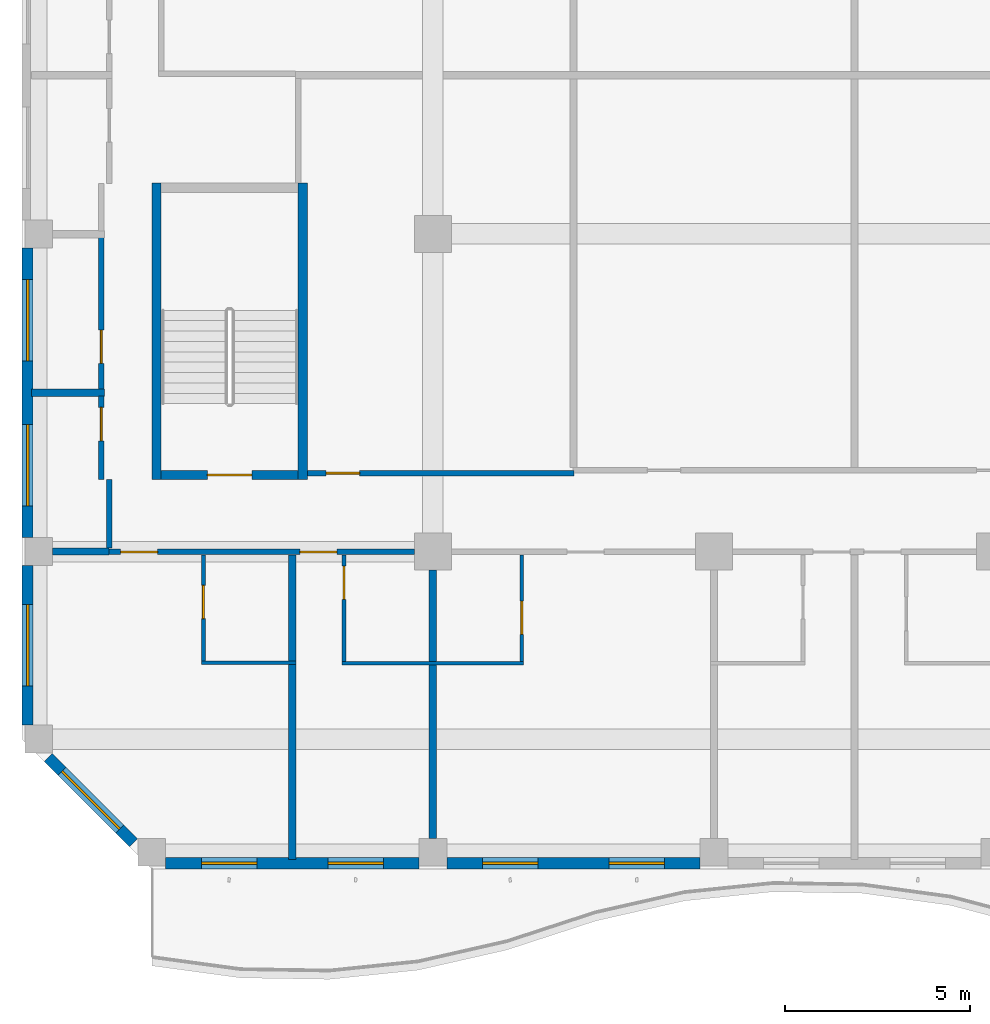
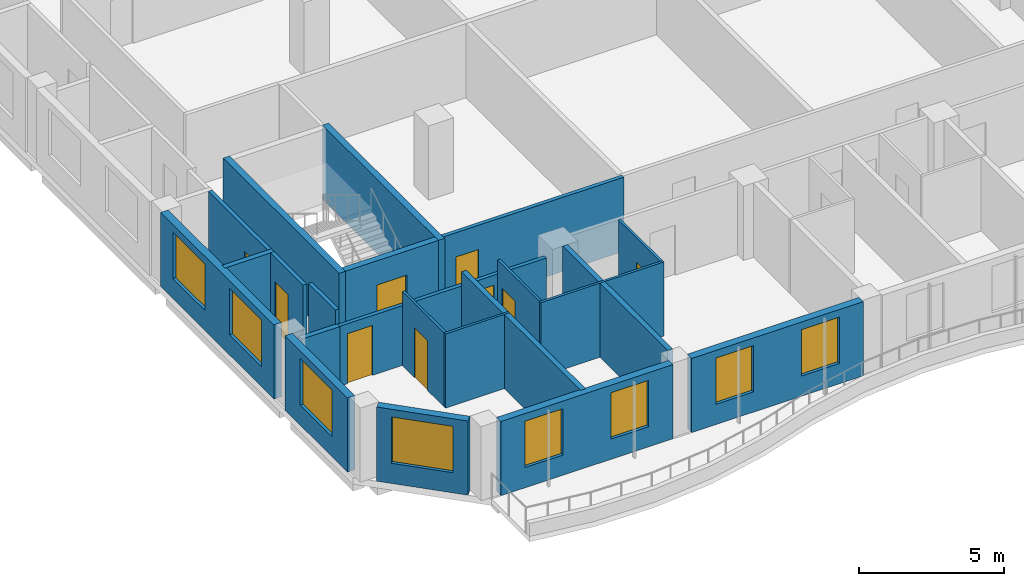
# One storey, part 2 of 21: 24 walls, 9 doors, 8 windows, 17 openings.
"""IFC4 building model written with IfcOpenShell, lengths in metres."""

from ifc_helpers import new_model, si_unit, direction, frame, frame_2d, origin, place, context, subcontext, project, spatial, rectangle, extrude, source, transform, mapped, material, layer, layer_set, type_object, element, fill, save


model = new_model("IFC4")

# Units and contexts
model_context = context("Model", 3, precision=1e-05, world=origin(), true_north=direction((0.0, 1.0)))
body_context = subcontext(model_context, "Body", "Model", "MODEL_VIEW")
ifc_project = project(units=[si_unit("LENGTHUNIT", "METRE"), si_unit("AREAUNIT", "SQUARE_METRE"), si_unit("VOLUMEUNIT", "CUBIC_METRE"), si_unit("PLANEANGLEUNIT", "RADIAN"), si_unit("MASSUNIT", "GRAM", prefix="KILO")], contexts=[model_context])

# Site, building, storey
site_placement = place(None, origin())
site = spatial("IfcSite", under=ifc_project, at=site_placement, CompositionType="ELEMENT")
building_placement = place(site_placement, origin())
building = spatial("IfcBuilding", under=site, at=building_placement, Name="Kilnfold Tower and Market Hall", CompositionType="ELEMENT")
storey_placement = place(building_placement, frame((0.0, 0.0, 216.89990234375)))
storey = spatial("IfcBuildingStorey", under=building, at=storey_placement, Name="L53", CompositionType="ELEMENT", Elevation=216.89990234375)

# Wall, openings, doors
ifc_material_1 = material(Name="Gypsum board on steel studs", Category="steel")
ifc_layer_1 = layer(ifc_material_1, 0.14990234375)
ifc_layer_set_1 = layer_set([ifc_layer_1], Name="Gypsum board on steel studs")
wall_type_1 = type_object("IfcWallType", Name="WALL CORRIDOR 150", PredefinedType="PARTITIONING", material=ifc_layer_set_1)
wall_1_placement = place(storey_placement, frame((-18.89990234375, -17.699951171875, 0.0), z_axis=(0.0, 0.0, 1.0), x_axis=(1.0, 0.0, 0.0)))
wall_1 = element("IfcWall", 1, at=wall_1_placement, inside=storey, type_object=wall_type_1, Name="Partition LY31.1", PredefinedType="PARTITIONING", context=body_context, shape_type="SweptSolid", body=[
    extrude(rectangle(XDim=8.23291015625, YDim=0.14990234375, at=frame_2d((4.116455078125, 0.0))), origin(), (0.0, 0.0, 1.0), 2.52001953125),
])
opening_1_placement = place(wall_1_placement, frame((0.304931640625, 0.0, 0.0)))
opening_1 = element("IfcOpeningElement", 2, at=opening_1_placement, cuts=wall_1, Name="Opening D1", PredefinedType="OPENING", context=body_context, shape_type="SweptSolid", body=[
    extrude(rectangle(XDim=1.0, YDim=2.10009765625, at=frame_2d((0.5, 1.050048828125))), frame((0.0, 0.0849609375, 0.0), z_axis=(0.0, -1.0, 0.0), x_axis=(1.0, 0.0, 0.0)), (0.0, 0.0, 1.0), 0.169921875),
])
opening_2_placement = place(wall_1_placement, frame((5.14306640625, 0.0, 0.0)))
opening_2 = element("IfcOpeningElement", 3, at=opening_2_placement, cuts=wall_1, Name="Opening D1", PredefinedType="OPENING", context=body_context, shape_type="SweptSolid", body=[
    extrude(rectangle(XDim=1.0, YDim=2.10009765625, at=frame_2d((0.5, 1.050048828125))), frame((0.0, 0.0849609375, 0.0), z_axis=(0.0, -1.0, 0.0), x_axis=(1.0, 0.0, 0.0)), (0.0, 0.0, 1.0), 0.169921875),
])
ifc_material_2 = material(Name="Timber veneer door leaf in steel frame", Category="steel")
door_type_1 = type_object("IfcDoorType", Name="DOOR ENTRY 1000 X2100", OperationType="NOTDEFINED", PredefinedType="DOOR", material=ifc_material_2)
door_1_placement = place(opening_1_placement, origin())
door_1 = element("IfcDoor", 4, at=door_1_placement, inside=storey, type_object=door_type_1, Name="Door D1", OperationType="SINGLE_SWING_RIGHT", OverallHeight=2.10009765625, OverallWidth=1.0, PredefinedType="DOOR", context=body_context, shape_type="SweptSolid", body=[
    extrude(rectangle(XDim=1.0, YDim=2.10009765625, at=frame_2d((0.5, 1.050048828125))), frame((0.0, 0.02490234375, 0.0), z_axis=(0.0, -1.0, 0.0), x_axis=(1.0, 0.0, 0.0)), (0.0, 0.0, 1.0), 0.050048828125),
])
fill(opening_1, door_1)
door_2_placement = place(opening_2_placement, origin())
door_2 = element("IfcDoor", 5, at=door_2_placement, inside=storey, type_object=door_type_1, Name="Door D1", OperationType="SINGLE_SWING_RIGHT", OverallHeight=2.10009765625, OverallWidth=1.0, PredefinedType="DOOR", context=body_context, shape_type="SweptSolid", body=[
    extrude(rectangle(XDim=1.0, YDim=2.10009765625, at=frame_2d((0.5, 1.050048828125))), frame((0.0, 0.02490234375, 0.0), z_axis=(0.0, -1.0, 0.0), x_axis=(1.0, 0.0, 0.0)), (0.0, 0.0, 1.0), 0.050048828125),
])
fill(opening_2, door_2)

# Wall
wall_2_placement = place(storey_placement, frame((-18.89990234375, -17.597900390625, 0.0), z_axis=(0.0, 0.0, 1.0), x_axis=(0.0, 1.0, 0.0)))
element("IfcWall", 6, at=wall_2_placement, inside=storey, type_object=wall_type_1, Name="Partition LY31.9", PredefinedType="PARTITIONING", context=body_context, shape_type="SweptSolid", body=[
    extrude(rectangle(XDim=1.85498046875, YDim=0.14990234375, at=frame_2d((0.927490234375, 0.0))), origin(), (0.0, 0.0, 1.0), 3.1201171875),
])

# Wall, opening, door
wall_3_placement = place(storey_placement, frame((-19.113037109375, -15.742919921875, 0.0), z_axis=(0.0, 0.0, 1.0), x_axis=(0.0, 1.0, 0.0)))
wall_3 = element("IfcWall", 7, at=wall_3_placement, inside=storey, type_object=wall_type_1, Name="Partition LY31.10", PredefinedType="PARTITIONING", context=body_context, shape_type="SweptSolid", body=[
    extrude(rectangle(XDim=2.246826171875, YDim=0.14990234375, at=frame_2d((1.12353515625, 0.0))), origin(), (0.0, 0.0, 1.0), 3.1201171875),
])
opening_3_placement = place(wall_3_placement, frame((1.0419921875, 0.0, 0.0)))
opening_3 = element("IfcOpeningElement", 8, at=opening_3_placement, cuts=wall_3, Name="Opening D2", PredefinedType="OPENING", context=body_context, shape_type="SweptSolid", body=[
    extrude(rectangle(XDim=0.89990234375, YDim=2.10009765625, at=frame_2d((0.449951171875, 1.050048828125))), frame((0.0, 0.0849609375, 0.0), z_axis=(0.0, -1.0, 0.0), x_axis=(1.0, 0.0, 0.0)), (0.0, 0.0, 1.0), 0.169921875),
])
ifc_material_3 = material(Name="Timber veneer door leaf in steel frame", Category="steel")
door_type_2 = type_object("IfcDoorType", Name="DOOR ROOM 900 X2100", OperationType="NOTDEFINED", PredefinedType="DOOR", material=ifc_material_3)
door_3_placement = place(opening_3_placement, origin())
door_3 = element("IfcDoor", 9, at=door_3_placement, inside=storey, type_object=door_type_2, Name="Door D2", OperationType="SINGLE_SWING_RIGHT", OverallHeight=2.10009765625, OverallWidth=0.89990234375, PredefinedType="DOOR", context=body_context, shape_type="SweptSolid", body=[
    extrude(rectangle(XDim=0.89990234375, YDim=2.10009765625, at=frame_2d((0.449951171875, 1.050048828125))), frame((0.0, 0.02490234375, 0.0), z_axis=(0.0, -1.0, 0.0), x_axis=(1.0, 0.0, 0.0)), (0.0, 0.0, 1.0), 0.050048828125),
])
fill(opening_3, door_3)

wall_4_placement = place(storey_placement, frame((-19.113037109375, -13.31591796875, 0.0), z_axis=(0.0, 0.0, 1.0), x_axis=(0.0, 1.0, 0.0)))
wall_4 = element("IfcWall", 10, at=wall_4_placement, inside=storey, type_object=wall_type_1, Name="Partition LY31.11", PredefinedType="PARTITIONING", context=body_context, shape_type="SweptSolid", body=[
    extrude(rectangle(XDim=4.100830078125, YDim=0.14990234375, at=frame_2d((2.05029296875, 0.0))), origin(), (0.0, 0.0, 1.0), 3.1201171875),
])
opening_4_placement = place(wall_4_placement, frame((0.699951171875, 0.0, 0.0)))
opening_4 = element("IfcOpeningElement", 11, at=opening_4_placement, cuts=wall_4, Name="Opening D2", PredefinedType="OPENING", context=body_context, shape_type="SweptSolid", body=[
    extrude(rectangle(XDim=0.89990234375, YDim=2.10009765625, at=frame_2d((0.449951171875, 1.050048828125))), frame((0.0, 0.0849609375, 0.0), z_axis=(0.0, -1.0, 0.0), x_axis=(1.0, 0.0, 0.0)), (0.0, 0.0, 1.0), 0.169921875),
])
door_4_placement = place(opening_4_placement, origin())
door_4 = element("IfcDoor", 12, at=door_4_placement, inside=storey, type_object=door_type_2, Name="Door D2", OperationType="SINGLE_SWING_RIGHT", OverallHeight=2.10009765625, OverallWidth=0.89990234375, PredefinedType="DOOR", context=body_context, shape_type="SweptSolid", body=[
    extrude(rectangle(XDim=0.89990234375, YDim=2.10009765625, at=frame_2d((0.449951171875, 1.050048828125))), frame((0.0, 0.02490234375, 0.0), z_axis=(0.0, -1.0, 0.0), x_axis=(1.0, 0.0, 0.0)), (0.0, 0.0, 1.0), 0.050048828125),
])
fill(opening_4, door_4)

wall_5_placement = place(storey_placement, frame((-6.364990234375, -15.574951171875, 0.0), z_axis=(0.0, 0.0, 1.0), x_axis=(-1.0, 0.0, 0.0)))
wall_5 = element("IfcWall", 13, at=wall_5_placement, inside=storey, type_object=wall_type_1, Name="Partition LY31.39", PredefinedType="PARTITIONING", context=body_context, shape_type="SweptSolid", body=[
    extrude(rectangle(XDim=7.18505859375, YDim=0.14990234375, at=frame_2d((3.592529296875, 0.0))), origin(), (0.0, 0.0, 1.0), 3.1201171875),
])
opening_5_placement = place(wall_5_placement, frame((5.781005859375, 0.0, 0.0)))
opening_5 = element("IfcOpeningElement", 14, at=opening_5_placement, cuts=wall_5, Name="Opening D2", PredefinedType="OPENING", context=body_context, shape_type="SweptSolid", body=[
    extrude(rectangle(XDim=0.89990234375, YDim=2.10009765625, at=frame_2d((0.449951171875, 1.050048828125))), frame((0.0, 0.0849609375, 0.0), z_axis=(0.0, -1.0, 0.0), x_axis=(1.0, 0.0, 0.0)), (0.0, 0.0, 1.0), 0.169921875),
])
door_5_placement = place(opening_5_placement, origin())
door_5 = element("IfcDoor", 15, at=door_5_placement, inside=storey, type_object=door_type_2, Name="Door D2", OperationType="SINGLE_SWING_RIGHT", OverallHeight=2.10009765625, OverallWidth=0.89990234375, PredefinedType="DOOR", context=body_context, shape_type="SweptSolid", body=[
    extrude(rectangle(XDim=0.89990234375, YDim=2.10009765625, at=frame_2d((0.449951171875, 1.050048828125))), frame((0.0, 0.02490234375, 0.0), z_axis=(0.0, -1.0, 0.0), x_axis=(1.0, 0.0, 0.0)), (0.0, 0.0, 1.0), 0.050048828125),
])
fill(opening_5, door_5)

ifc_material_4 = material(Name="Gypsum board on steel studs", Category="steel")
ifc_layer_2 = layer(ifc_material_4, 0.10009765625)
ifc_layer_set_2 = layer_set([ifc_layer_2], Name="Gypsum board on steel studs")
wall_type_2 = type_object("IfcWallType", Name="WALL PARTITION 100", PredefinedType="PARTITIONING", material=ifc_layer_set_2)
wall_6_placement = place(storey_placement, frame((-16.35888671875, -20.637939453125, 0.0), z_axis=(0.0, 0.0, 1.0), x_axis=(0.0, 1.0, 0.0)))
wall_6 = element("IfcWall", 16, at=wall_6_placement, inside=storey, type_object=wall_type_2, Name="Partition LY31.42", PredefinedType="PARTITIONING", context=body_context, shape_type="SweptSolid", body=[
    extrude(rectangle(XDim=2.86083984375, YDim=0.10009765625, at=frame_2d((1.430419921875, 0.0))), origin(), (0.0, 0.0, 1.0), 3.1201171875),
])
opening_6_placement = place(wall_6_placement, frame((1.136962890625, 0.0, 0.0)))
opening_6 = element("IfcOpeningElement", 17, at=opening_6_placement, cuts=wall_6, Name="Opening D3", PredefinedType="OPENING", context=body_context, shape_type="SweptSolid", body=[
    extrude(rectangle(XDim=0.89990234375, YDim=2.10009765625, at=frame_2d((0.449951171875, 1.050048828125))), frame((0.0, 0.06005859375, 0.0), z_axis=(0.0, -1.0, 0.0), x_axis=(1.0, 0.0, 0.0)), (0.0, 0.0, 1.0), 0.1201171875),
])
ifc_material_5 = material(Name="Timber veneer door leaf in steel frame", Category="steel")
door_type_3 = type_object("IfcDoorType", Name="DOOR WC 900 X2100", OperationType="NOTDEFINED", PredefinedType="DOOR", material=ifc_material_5)
door_6_placement = place(opening_6_placement, origin())
door_6 = element("IfcDoor", 18, at=door_6_placement, inside=storey, type_object=door_type_3, Name="Door D3", OperationType="SINGLE_SWING_RIGHT", OverallHeight=2.10009765625, OverallWidth=0.89990234375, PredefinedType="DOOR", context=body_context, shape_type="SweptSolid", body=[
    extrude(rectangle(XDim=0.89990234375, YDim=2.10009765625, at=frame_2d((0.449951171875, 1.050048828125))), frame((0.0, 0.02490234375, 0.0), z_axis=(0.0, -1.0, 0.0), x_axis=(1.0, 0.0, 0.0)), (0.0, 0.0, 1.0), 0.050048828125),
])
fill(opening_6, door_6)

# Wall
wall_7_placement = place(storey_placement, frame((-16.408935546875, -20.68798828125, 0.0), z_axis=(0.0, 0.0, 1.0), x_axis=(1.0, 0.0, 0.0)))
element("IfcWall", 19, at=wall_7_placement, inside=storey, type_object=wall_type_2, Name="Partition LY31.43", PredefinedType="PARTITIONING", context=body_context, shape_type="SweptSolid", body=[
    extrude(rectangle(XDim=2.550048828125, YDim=0.10009765625, at=frame_2d((1.27490234375, 0.0))), origin(), (0.0, 0.0, 1.0), 3.1201171875),
])

# Wall, opening, door
wall_8_placement = place(storey_placement, frame((-12.56689453125, -20.652099609375, 0.0), z_axis=(0.0, 0.0, 1.0), x_axis=(0.0, 1.0, 0.0)))
wall_8 = element("IfcWall", 20, at=wall_8_placement, inside=storey, type_object=wall_type_2, Name="Partition LY31.47", PredefinedType="PARTITIONING", context=body_context, shape_type="SweptSolid", body=[
    extrude(rectangle(XDim=2.875, YDim=0.10009765625, at=frame_2d((1.4375, 0.0))), origin(), (0.0, 0.0, 1.0), 3.1201171875),
])
opening_7_placement = place(wall_8_placement, frame((1.669921875, 0.0, 0.0)))
opening_7 = element("IfcOpeningElement", 21, at=opening_7_placement, cuts=wall_8, Name="Opening D3", PredefinedType="OPENING", context=body_context, shape_type="SweptSolid", body=[
    extrude(rectangle(XDim=0.89990234375, YDim=2.10009765625, at=frame_2d((0.449951171875, 1.050048828125))), frame((0.0, 0.06005859375, 0.0), z_axis=(0.0, -1.0, 0.0), x_axis=(1.0, 0.0, 0.0)), (0.0, 0.0, 1.0), 0.1201171875),
])
door_7_placement = place(opening_7_placement, origin())
door_7 = element("IfcDoor", 22, at=door_7_placement, inside=storey, type_object=door_type_3, Name="Door D3", OperationType="SINGLE_SWING_LEFT", OverallHeight=2.10009765625, OverallWidth=0.89990234375, PredefinedType="DOOR", context=body_context, shape_type="SweptSolid", body=[
    extrude(rectangle(XDim=0.89990234375, YDim=2.10009765625, at=frame_2d((0.449951171875, 1.050048828125))), frame((0.0, 0.02490234375, 0.0), z_axis=(0.0, -1.0, 0.0), x_axis=(1.0, 0.0, 0.0)), (0.0, 0.0, 1.0), 0.050048828125),
])
fill(opening_7, door_7)

# Wall
wall_9_placement = place(storey_placement, frame((-12.616943359375, -20.701904296875, 0.0), z_axis=(0.0, 0.0, 1.0), x_axis=(1.0, 0.0, 0.0)))
element("IfcWall", 23, at=wall_9_placement, inside=storey, type_object=wall_type_2, Name="Partition LY31.48", PredefinedType="PARTITIONING", context=body_context, shape_type="SweptSolid", body=[
    extrude(rectangle(XDim=4.89990234375, YDim=0.10009765625, at=frame_2d((2.449951171875, 0.0))), origin(), (0.0, 0.0, 1.0), 3.1201171875),
])

# Wall, opening, door
wall_10_placement = place(storey_placement, frame((-7.76708984375, -17.777099609375, 0.0), z_axis=(0.0, 0.0, 1.0), x_axis=(0.0, -1.0, 0.0)))
wall_10 = element("IfcWall", 24, at=wall_10_placement, inside=storey, type_object=wall_type_2, Name="Partition LY31.51", PredefinedType="PARTITIONING", context=body_context, shape_type="SweptSolid", body=[
    extrude(rectangle(XDim=2.875, YDim=0.10009765625, at=frame_2d((1.4375, 0.0))), origin(), (0.0, 0.0, 1.0), 3.1201171875),
])
opening_8_placement = place(wall_10_placement, frame((1.25, 0.0, 0.0)))
opening_8 = element("IfcOpeningElement", 25, at=opening_8_placement, cuts=wall_10, Name="Opening D3", PredefinedType="OPENING", context=body_context, shape_type="SweptSolid", body=[
    extrude(rectangle(XDim=0.89990234375, YDim=2.10009765625, at=frame_2d((0.449951171875, 1.050048828125))), frame((0.0, 0.06005859375, 0.0), z_axis=(0.0, -1.0, 0.0), x_axis=(1.0, 0.0, 0.0)), (0.0, 0.0, 1.0), 0.1201171875),
])
door_8_placement = place(opening_8_placement, origin())
door_8 = element("IfcDoor", 26, at=door_8_placement, inside=storey, type_object=door_type_3, Name="Door D3", OperationType="SINGLE_SWING_LEFT", OverallHeight=2.10009765625, OverallWidth=0.89990234375, PredefinedType="DOOR", context=body_context, shape_type="SweptSolid", body=[
    extrude(rectangle(XDim=0.89990234375, YDim=2.10009765625, at=frame_2d((0.449951171875, 1.050048828125))), frame((0.0, 0.02490234375, 0.0), z_axis=(0.0, -1.0, 0.0), x_axis=(1.0, 0.0, 0.0)), (0.0, 0.0, 1.0), 0.050048828125),
])
fill(opening_8, door_8)

# Walls
ifc_material_6 = material(Name="Gypsum board on steel studs", Category="steel")
ifc_layer_3 = layer(ifc_material_6, 0.199951171875)
ifc_layer_set_3 = layer_set([ifc_layer_3], Name="Gypsum board on steel studs")
wall_type_3 = type_object("IfcWallType", Name="WALL PARTY 200", PredefinedType="PARTITIONING", material=ifc_layer_set_3)
wall_11_placement = place(storey_placement, frame((-13.958984375, -26.0, 0.0), z_axis=(0.0, 0.0, 1.0), x_axis=(0.0, 1.0, 0.0)))
element("IfcWall", 27, at=wall_11_placement, inside=storey, type_object=wall_type_3, Name="Partition LY31.44", PredefinedType="PARTITIONING", context=body_context, shape_type="SweptSolid", body=[
    extrude(rectangle(XDim=5.261962890625, YDim=0.199951171875, at=frame_2d((2.630859375, 0.0))), origin(), (0.0, 0.0, 1.0), 3.1201171875),
])
wall_12_placement = place(storey_placement, frame((-20.425048828125, -17.68798828125, 0.0), z_axis=(0.0, 0.0, 1.0), x_axis=(1.0, 0.0, 0.0)))
element("IfcWall", 28, at=wall_12_placement, inside=storey, type_object=wall_type_3, Name="Partition LY31.45", PredefinedType="PARTITIONING", context=body_context, shape_type="SweptSolid", body=[
    extrude(rectangle(XDim=1.52294921875, YDim=0.199951171875, at=frame_2d((0.761474609375, 0.0))), origin(), (0.0, 0.0, 1.0), 2.52001953125),
])
wall_13_placement = place(storey_placement, frame((-13.958984375, -20.637939453125, 0.0), z_axis=(0.0, 0.0, 1.0), x_axis=(0.0, 1.0, 0.0)))
element("IfcWall", 29, at=wall_13_placement, inside=storey, type_object=wall_type_3, Name="Partition LY31.46", PredefinedType="PARTITIONING", context=body_context, shape_type="SweptSolid", body=[
    extrude(rectangle(XDim=2.86083984375, YDim=0.199951171875, at=frame_2d((1.430419921875, 0.0))), origin(), (0.0, 0.0, 1.0), 3.1201171875),
])
wall_14_placement = place(storey_placement, frame((-10.1669921875, -25.425048828125, 0.0), z_axis=(0.0, 0.0, 1.0), x_axis=(0.0, 1.0, 0.0)))
element("IfcWall", 30, at=wall_14_placement, inside=storey, type_object=wall_type_3, Name="Partition LY31.49", PredefinedType="PARTITIONING", context=body_context, shape_type="SweptSolid", body=[
    extrude(rectangle(XDim=4.673095703125, YDim=0.199951171875, at=frame_2d((2.33642578125, 0.0))), origin(), (0.0, 0.0, 1.0), 3.1201171875),
])
wall_15_placement = place(storey_placement, frame((-10.1669921875, -20.652099609375, 0.0), z_axis=(0.0, 0.0, 1.0), x_axis=(0.0, 1.0, 0.0)))
element("IfcWall", 31, at=wall_15_placement, inside=storey, type_object=wall_type_3, Name="Partition LY31.50", PredefinedType="PARTITIONING", context=body_context, shape_type="SweptSolid", body=[
    extrude(rectangle(XDim=2.464111328125, YDim=0.199951171875, at=frame_2d((1.23193359375, 0.0))), origin(), (0.0, 0.0, 1.0), 3.1201171875),
])
wall_16_placement = place(storey_placement, frame((-19.027099609375, -13.406005859375, 0.0), z_axis=(0.0, 0.0, 1.0), x_axis=(-1.0, 0.0, 0.0)))
element("IfcWall", 32, at=wall_16_placement, inside=storey, type_object=wall_type_3, Name="Partition LY31.79", PredefinedType="PARTITIONING", context=body_context, shape_type="SweptSolid", body=[
    extrude(rectangle(XDim=1.972900390625, YDim=0.199951171875, at=frame_2d((0.986328125, 0.0))), origin(), (0.0, 0.0, 1.0), 3.1201171875),
])

# Wall, opening, door
ifc_material_7 = material(Name="Concrete C60", Category="concrete")
ifc_layer_4 = layer(ifc_material_7, 0.25)
ifc_layer_set_4 = layer_set([ifc_layer_4], Name="Concrete C60")
wall_type_4 = type_object("IfcWallType", Name="CORE WALL 250 C60", PredefinedType="SHEAR", material=ifc_layer_set_4)
shared_shape_1 = source(origin(), body_context, "Body", "SweptSolid", [
    extrude(rectangle(XDim=3.699951171875, YDim=0.25, at=frame_2d((1.85009765625, 0.0))), origin(), (0.0, 0.0, 1.0), 3.1201171875),
])
wall_17_placement = place(storey_placement, frame((-17.5, -15.625, 0.0), z_axis=(0.0, 0.0, 1.0), x_axis=(1.0, 0.0, 0.0)))
wall_17 = element("IfcWall", 33, at=wall_17_placement, inside=storey, type_object=wall_type_4, Name="Stair enclosure ST3", PredefinedType="SHEAR", context=body_context, shape_type="MappedRepresentation", body=[
    mapped(shared_shape_1, transform((0.0, 0.0, 0.0))),
])
opening_9_placement = place(wall_17_placement, frame((1.25, 0.0, 0.0)))
opening_9 = element("IfcOpeningElement", 34, at=opening_9_placement, cuts=wall_17, Name="Opening SD1", PredefinedType="OPENING", context=body_context, shape_type="SweptSolid", body=[
    extrude(rectangle(XDim=1.199951171875, YDim=2.10009765625, at=frame_2d((0.60009765625, 1.050048828125))), frame((0.0, 0.135009765625, 0.0), z_axis=(0.0, -1.0, 0.0), x_axis=(1.0, 0.0, 0.0)), (0.0, 0.0, 1.0), 0.27001953125),
])
ifc_material_8 = material(Name="Steel door set with fire-resisting leaf", Category="steel")
door_type_4 = type_object("IfcDoorType", Name="STAIR FLOOR DOOR 1200X2100", OperationType="NOTDEFINED", PredefinedType="DOOR", material=ifc_material_8)
door_9_placement = place(opening_9_placement, origin())
door_9 = element("IfcDoor", 35, at=door_9_placement, inside=storey, type_object=door_type_4, Name="Exit stair ST3 door", OperationType="DOUBLE_DOOR_SINGLE_SWING", OverallHeight=2.10009765625, OverallWidth=1.199951171875, PredefinedType="DOOR", context=body_context, shape_type="SweptSolid", body=[
    extrude(rectangle(XDim=1.199951171875, YDim=2.10009765625, at=frame_2d((0.60009765625, 1.050048828125))), frame((0.0, 0.02490234375, 0.0), z_axis=(0.0, -1.0, 0.0), x_axis=(1.0, 0.0, 0.0)), (0.0, 0.0, 1.0), 0.050048828125),
])
fill(opening_9, door_9)

# Walls
shared_shape_2 = source(origin(), body_context, "Body", "SweptSolid", [
    extrude(rectangle(XDim=8.0, YDim=0.25, at=frame_2d((4.0, 0.0))), origin(), (0.0, 0.0, 1.0), 3.1201171875),
])
for number, where, z_axis, x_axis, name in (
    (36, (-17.625, -15.75, 0.0), (0.0, 0.0, 1.0), (0.0, 1.0, 0.0), "Stair enclosure ST3"),
    (37, (-13.675048828125, -15.75, 0.0), (0.0, 0.0, 1.0), (0.0, 1.0, 0.0), "Stair enclosure ST3"),
):
    element("IfcWall", number, at=place(storey_placement, frame(where, z_axis=z_axis, x_axis=x_axis)), inside=storey, type_object=wall_type_4, Name=name, PredefinedType="SHEAR", context=body_context, shape_type="MappedRepresentation", body=[
        mapped(shared_shape_2, transform((0.0, 0.0, 0.0))),
    ])

# Wall, openings, windows
ifc_material_9 = material(Name="Precast concrete C50/60", Category="concrete")
ifc_layer_5 = layer(ifc_material_9, 0.300048828125)
ifc_layer_set_5 = layer_set([ifc_layer_5], Name="Precast concrete C50/60")
wall_type_5 = type_object("IfcWallType", Name="PRECAST WALL 300", PredefinedType="SOLIDWALL", material=ifc_layer_set_5)
shared_shape_3 = source(origin(), body_context, "Body", "SweptSolid", [
    extrude(rectangle(XDim=6.833251953125, YDim=0.300048828125, at=frame_2d((3.41650390625, 0.0))), origin(), (0.0, 0.0, 1.0), 3.1201171875),
])
wall_18_placement = place(storey_placement, frame((-17.375, -26.10009765625, 0.0), z_axis=(0.0, 0.0, 1.0), x_axis=(1.0, 0.0, 0.0)))
wall_18 = element("IfcWall", 38, at=wall_18_placement, inside=storey, type_object=wall_type_5, Name="External wall L53 S", PredefinedType="SOLIDWALL", context=body_context, shape_type="MappedRepresentation", body=[
    mapped(shared_shape_3, transform((0.0, 0.0, 0.0))),
])
opening_10_placement = place(wall_18_placement, frame((0.95849609375, 0.0, 0.85009765625)))
opening_10 = element("IfcOpeningElement", 39, at=opening_10_placement, cuts=wall_18, Name="Opening W4", PredefinedType="OPENING", context=body_context, shape_type="SweptSolid", body=[
    extrude(rectangle(XDim=1.5, YDim=1.949951171875, at=frame_2d((0.75, 0.97509765625))), frame((0.0, 0.16015625, 0.0), z_axis=(0.0, -1.0, 0.0), x_axis=(1.0, 0.0, 0.0)), (0.0, 0.0, 1.0), 0.320068359375),
])
opening_11_placement = place(wall_18_placement, frame((4.375, 0.0, 0.85009765625)))
opening_11 = element("IfcOpeningElement", 40, at=opening_11_placement, cuts=wall_18, Name="Opening W4", PredefinedType="OPENING", context=body_context, shape_type="SweptSolid", body=[
    extrude(rectangle(XDim=1.5, YDim=1.949951171875, at=frame_2d((0.75, 0.97509765625))), frame((0.0, 0.16015625, 0.0), z_axis=(0.0, -1.0, 0.0), x_axis=(1.0, 0.0, 0.0)), (0.0, 0.0, 1.0), 0.320068359375),
])
ifc_material_10 = material(Name="Aluminium frame and double glazing", Category="aluminium")
window_type_1 = type_object("IfcWindowType", Name="WINDOW W4 1500X1950", PartitioningType="SINGLE_PANEL", PredefinedType="WINDOW", material=ifc_material_10)
window_1_placement = place(opening_10_placement, origin())
window_1 = element("IfcWindow", 41, at=window_1_placement, inside=storey, type_object=window_type_1, Name="Window W4 L53 S-1", OverallHeight=1.949951171875, OverallWidth=1.5, PartitioningType="SINGLE_PANEL", PredefinedType="WINDOW", context=body_context, shape_type="SweptSolid", body=[
    extrude(rectangle(XDim=1.5, YDim=1.949951171875, at=frame_2d((0.75, 0.97509765625))), frame((0.0, 0.030029296875, 0.0), z_axis=(0.0, -1.0, 0.0), x_axis=(1.0, 0.0, 0.0)), (0.0, 0.0, 1.0), 0.06005859375),
])
fill(opening_10, window_1)
window_2_placement = place(opening_11_placement, origin())
window_2 = element("IfcWindow", 42, at=window_2_placement, inside=storey, type_object=window_type_1, Name="Window W4 L53 S-2", OverallHeight=1.949951171875, OverallWidth=1.5, PartitioningType="SINGLE_PANEL", PredefinedType="WINDOW", context=body_context, shape_type="SweptSolid", body=[
    extrude(rectangle(XDim=1.5, YDim=1.949951171875, at=frame_2d((0.75, 0.97509765625))), frame((0.0, 0.030029296875, 0.0), z_axis=(0.0, -1.0, 0.0), x_axis=(1.0, 0.0, 0.0)), (0.0, 0.0, 1.0), 0.06005859375),
])
fill(opening_11, window_2)

shared_shape_4 = source(origin(), body_context, "Body", "SweptSolid", [
    extrude(rectangle(XDim=6.83349609375, YDim=0.300048828125, at=frame_2d((3.416748046875, 0.0))), origin(), (0.0, 0.0, 1.0), 3.1201171875),
])
wall_19_placement = place(storey_placement, frame((-9.791748046875, -26.10009765625, 0.0), z_axis=(0.0, 0.0, 1.0), x_axis=(1.0, 0.0, 0.0)))
wall_19 = element("IfcWall", 43, at=wall_19_placement, inside=storey, type_object=wall_type_5, Name="External wall L53 S", PredefinedType="SOLIDWALL", context=body_context, shape_type="MappedRepresentation", body=[
    mapped(shared_shape_4, transform((0.0, 0.0, 0.0))),
])
opening_12_placement = place(wall_19_placement, frame((0.958251953125, 0.0, 0.85009765625)))
opening_12 = element("IfcOpeningElement", 44, at=opening_12_placement, cuts=wall_19, Name="Opening W4", PredefinedType="OPENING", context=body_context, shape_type="SweptSolid", body=[
    extrude(rectangle(XDim=1.5, YDim=1.949951171875, at=frame_2d((0.75, 0.97509765625))), frame((0.0, 0.16015625, 0.0), z_axis=(0.0, -1.0, 0.0), x_axis=(1.0, 0.0, 0.0)), (0.0, 0.0, 1.0), 0.320068359375),
])
opening_13_placement = place(wall_19_placement, frame((4.375, 0.0, 0.85009765625)))
opening_13 = element("IfcOpeningElement", 45, at=opening_13_placement, cuts=wall_19, Name="Opening W4", PredefinedType="OPENING", context=body_context, shape_type="SweptSolid", body=[
    extrude(rectangle(XDim=1.5, YDim=1.949951171875, at=frame_2d((0.75, 0.97509765625))), frame((0.0, 0.16015625, 0.0), z_axis=(0.0, -1.0, 0.0), x_axis=(1.0, 0.0, 0.0)), (0.0, 0.0, 1.0), 0.320068359375),
])
window_3_placement = place(opening_12_placement, origin())
window_3 = element("IfcWindow", 46, at=window_3_placement, inside=storey, type_object=window_type_1, Name="Window W4 L53 S-1", OverallHeight=1.949951171875, OverallWidth=1.5, PartitioningType="SINGLE_PANEL", PredefinedType="WINDOW", context=body_context, shape_type="SweptSolid", body=[
    extrude(rectangle(XDim=1.5, YDim=1.949951171875, at=frame_2d((0.75, 0.97509765625))), frame((0.0, 0.030029296875, 0.0), z_axis=(0.0, -1.0, 0.0), x_axis=(1.0, 0.0, 0.0)), (0.0, 0.0, 1.0), 0.06005859375),
])
fill(opening_12, window_3)
window_4_placement = place(opening_13_placement, origin())
window_4 = element("IfcWindow", 47, at=window_4_placement, inside=storey, type_object=window_type_1, Name="Window W4 L53 S-2", OverallHeight=1.949951171875, OverallWidth=1.5, PartitioningType="SINGLE_PANEL", PredefinedType="WINDOW", context=body_context, shape_type="SweptSolid", body=[
    extrude(rectangle(XDim=1.5, YDim=1.949951171875, at=frame_2d((0.75, 0.97509765625))), frame((0.0, 0.030029296875, 0.0), z_axis=(0.0, -1.0, 0.0), x_axis=(1.0, 0.0, 0.0)), (0.0, 0.0, 1.0), 0.06005859375),
])
fill(opening_13, window_4)

shared_shape_5 = source(origin(), body_context, "Body", "SweptSolid", [
    extrude(rectangle(XDim=7.8125, YDim=0.300048828125, at=frame_2d((3.90625, 0.0))), origin(), (0.0, 0.0, 1.0), 3.1201171875),
])
wall_20_placement = place(storey_placement, frame((-21.10009765625, -9.5, 0.0), z_axis=(0.0, 0.0, 1.0), x_axis=(0.0, -1.0, 0.0)))
wall_20 = element("IfcWall", 48, at=wall_20_placement, inside=storey, type_object=wall_type_5, Name="External wall L53 W", PredefinedType="SOLIDWALL", context=body_context, shape_type="MappedRepresentation", body=[
    mapped(shared_shape_5, transform((0.0, 0.0, 0.0))),
])
opening_14_placement = place(wall_20_placement, frame((0.85302734375, 0.0, 0.85009765625)))
opening_14 = element("IfcOpeningElement", 49, at=opening_14_placement, cuts=wall_20, Name="Opening W2", PredefinedType="OPENING", context=body_context, shape_type="SweptSolid", body=[
    extrude(rectangle(XDim=2.199951171875, YDim=1.949951171875, at=frame_2d((1.10009765625, 0.97509765625))), frame((0.0, 0.16015625, 0.0), z_axis=(0.0, -1.0, 0.0), x_axis=(1.0, 0.0, 0.0)), (0.0, 0.0, 1.0), 0.320068359375),
])
opening_15_placement = place(wall_20_placement, frame((4.75927734375, 0.0, 0.85009765625)))
opening_15 = element("IfcOpeningElement", 50, at=opening_15_placement, cuts=wall_20, Name="Opening W2", PredefinedType="OPENING", context=body_context, shape_type="SweptSolid", body=[
    extrude(rectangle(XDim=2.199951171875, YDim=1.949951171875, at=frame_2d((1.10009765625, 0.97509765625))), frame((0.0, 0.16015625, 0.0), z_axis=(0.0, -1.0, 0.0), x_axis=(1.0, 0.0, 0.0)), (0.0, 0.0, 1.0), 0.320068359375),
])
ifc_material_11 = material(Name="Aluminium frame and double glazing", Category="aluminium")
window_type_2 = type_object("IfcWindowType", Name="WINDOW W2 2200X1950", PartitioningType="SINGLE_PANEL", PredefinedType="WINDOW", material=ifc_material_11)
window_5_placement = place(opening_14_placement, origin())
window_5 = element("IfcWindow", 51, at=window_5_placement, inside=storey, type_object=window_type_2, Name="Window W2 L53 W-1", OverallHeight=1.949951171875, OverallWidth=2.199951171875, PartitioningType="SINGLE_PANEL", PredefinedType="WINDOW", context=body_context, shape_type="SweptSolid", body=[
    extrude(rectangle(XDim=2.199951171875, YDim=1.949951171875, at=frame_2d((1.10009765625, 0.97509765625))), frame((0.0, 0.030029296875, 0.0), z_axis=(0.0, -1.0, 0.0), x_axis=(1.0, 0.0, 0.0)), (0.0, 0.0, 1.0), 0.06005859375),
])
fill(opening_14, window_5)
window_6_placement = place(opening_15_placement, origin())
window_6 = element("IfcWindow", 52, at=window_6_placement, inside=storey, type_object=window_type_2, Name="Window W2 L53 W-2", OverallHeight=1.949951171875, OverallWidth=2.199951171875, PartitioningType="SINGLE_PANEL", PredefinedType="WINDOW", context=body_context, shape_type="SweptSolid", body=[
    extrude(rectangle(XDim=2.199951171875, YDim=1.949951171875, at=frame_2d((1.10009765625, 0.97509765625))), frame((0.0, 0.030029296875, 0.0), z_axis=(0.0, -1.0, 0.0), x_axis=(1.0, 0.0, 0.0)), (0.0, 0.0, 1.0), 0.06005859375),
])
fill(opening_15, window_6)

# Wall, opening, window
shared_shape_6 = source(origin(), body_context, "Body", "SweptSolid", [
    extrude(rectangle(XDim=4.3125, YDim=0.300048828125, at=frame_2d((2.15625, 0.0))), origin(), (0.0, 0.0, 1.0), 3.1201171875),
])
wall_21_placement = place(storey_placement, frame((-21.10009765625, -18.0625, 0.0), z_axis=(0.0, 0.0, 1.0), x_axis=(0.0, -1.0, 0.0)))
wall_21 = element("IfcWall", 53, at=wall_21_placement, inside=storey, type_object=wall_type_5, Name="External wall L53 W", PredefinedType="SOLIDWALL", context=body_context, shape_type="MappedRepresentation", body=[
    mapped(shared_shape_6, transform((0.0, 0.0, 0.0))),
])
opening_16_placement = place(wall_21_placement, frame((1.05615234375, 0.0, 0.85009765625)))
opening_16 = element("IfcOpeningElement", 54, at=opening_16_placement, cuts=wall_21, Name="Opening W2", PredefinedType="OPENING", context=body_context, shape_type="SweptSolid", body=[
    extrude(rectangle(XDim=2.199951171875, YDim=1.949951171875, at=frame_2d((1.10009765625, 0.97509765625))), frame((0.0, 0.16015625, 0.0), z_axis=(0.0, -1.0, 0.0), x_axis=(1.0, 0.0, 0.0)), (0.0, 0.0, 1.0), 0.320068359375),
])
window_7_placement = place(opening_16_placement, origin())
window_7 = element("IfcWindow", 55, at=window_7_placement, inside=storey, type_object=window_type_2, Name="Window W2 L53 W-1", OverallHeight=1.949951171875, OverallWidth=2.199951171875, PartitioningType="SINGLE_PANEL", PredefinedType="WINDOW", context=body_context, shape_type="SweptSolid", body=[
    extrude(rectangle(XDim=2.199951171875, YDim=1.949951171875, at=frame_2d((1.10009765625, 0.97509765625))), frame((0.0, 0.030029296875, 0.0), z_axis=(0.0, -1.0, 0.0), x_axis=(1.0, 0.0, 0.0)), (0.0, 0.0, 1.0), 0.06005859375),
])
fill(opening_16, window_7)

shared_shape_7 = source(origin(), body_context, "Body", "SweptSolid", [
    extrude(rectangle(XDim=3.252685546875, YDim=0.300048828125, at=frame_2d((1.62646484375, 0.0))), origin(), (0.0, 0.0, 1.0), 3.1201171875),
])
wall_22_placement = place(storey_placement, frame((-20.5439453125, -23.243896484375, 0.0), z_axis=(0.0, 0.0, 1.0), x_axis=(0.707106781187, -0.707106781187, 0.0)))
wall_22 = element("IfcWall", 56, at=wall_22_placement, inside=storey, type_object=wall_type_5, Name="External wall L53 SW", PredefinedType="SOLIDWALL", context=body_context, shape_type="MappedRepresentation", body=[
    mapped(shared_shape_7, transform((0.0, 0.0, 0.0))),
])
opening_17_placement = place(wall_22_placement, frame((0.5263671875, 0.0, 0.85009765625)))
opening_17 = element("IfcOpeningElement", 57, at=opening_17_placement, cuts=wall_22, Name="Opening W2", PredefinedType="OPENING", context=body_context, shape_type="SweptSolid", body=[
    extrude(rectangle(XDim=2.199951171875, YDim=1.949951171875, at=frame_2d((1.10009765625, 0.97509765625))), frame((0.0, 0.16015625, 0.0), z_axis=(0.0, -1.0, 0.0), x_axis=(1.0, 0.0, 0.0)), (0.0, 0.0, 1.0), 0.320068359375),
])
window_8_placement = place(opening_17_placement, origin())
window_8 = element("IfcWindow", 58, at=window_8_placement, inside=storey, type_object=window_type_2, Name="Window W2 L53 SW-1", OverallHeight=1.949951171875, OverallWidth=2.199951171875, PartitioningType="SINGLE_PANEL", PredefinedType="WINDOW", context=body_context, shape_type="SweptSolid", body=[
    extrude(rectangle(XDim=2.199951171875, YDim=1.949951171875, at=frame_2d((1.10009765625, 0.97509765625))), frame((0.0, 0.030029296875, 0.0), z_axis=(0.0, -1.0, 0.0), x_axis=(1.0, 0.0, 0.0)), (0.0, 0.0, 1.0), 0.06005859375),
])
fill(opening_17, window_8)

save(model, "model.ifc")
